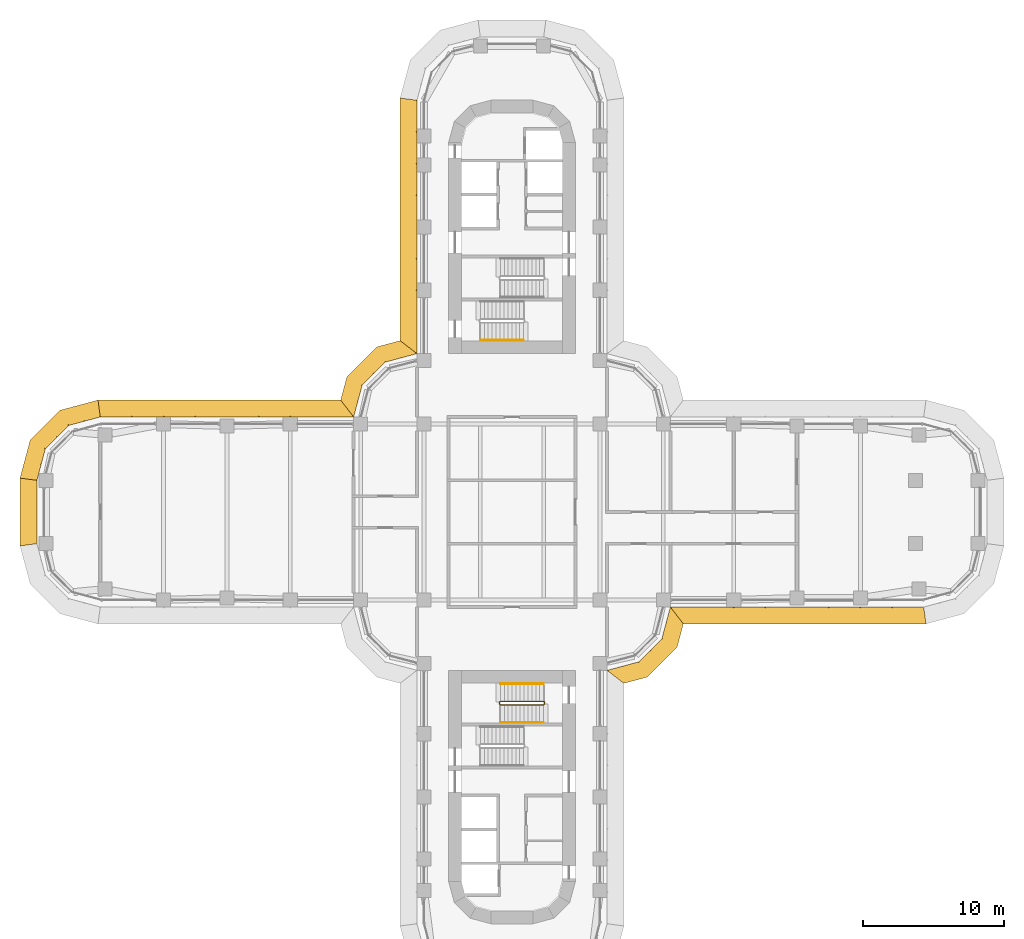
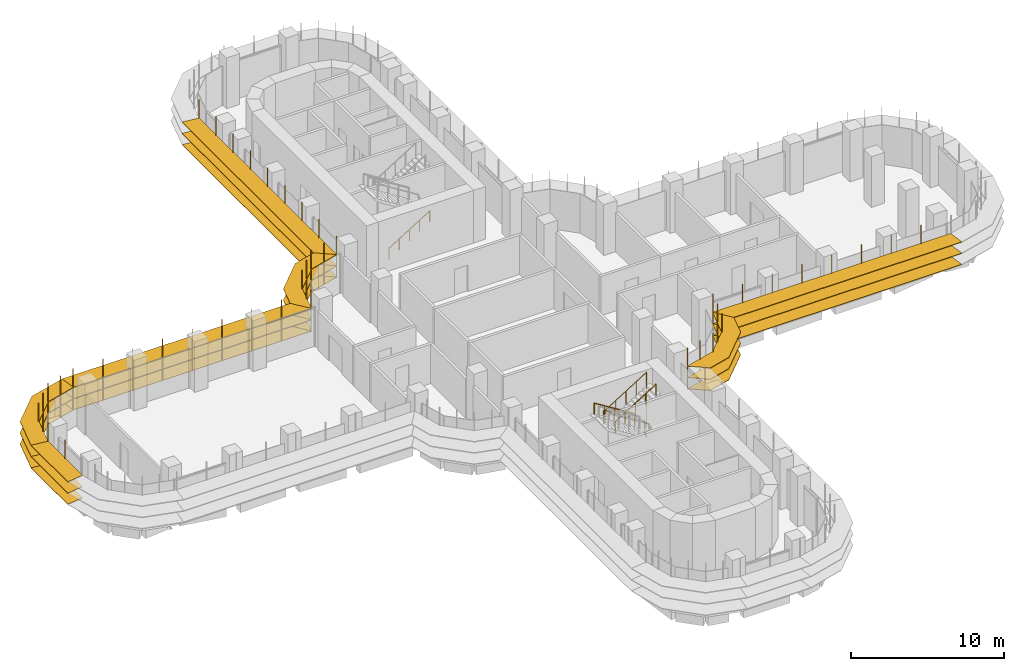
# One storey, part 21 of 23: 7 shading devices, 4 railings.
"""IFC4 building model written with IfcOpenShell, lengths in metres."""

from ifc_helpers import new_model, si_unit, direction, frame, origin, origin_2d, place, context, subcontext, project, spatial, polyline, circle, outline, extrude, faceted_brep, source, transform, mapped, material, type_object, element, save


model = new_model("IFC4")

# Units and contexts
model_context = context("Model", 3, precision=1e-05, world=origin(), true_north=direction((0.0, 1.0)))
body_context = subcontext(model_context, "Body", "Model", "MODEL_VIEW")
ifc_project = project(units=[si_unit("LENGTHUNIT", "METRE"), si_unit("AREAUNIT", "SQUARE_METRE"), si_unit("VOLUMEUNIT", "CUBIC_METRE"), si_unit("PLANEANGLEUNIT", "RADIAN"), si_unit("MASSUNIT", "GRAM", prefix="KILO")], contexts=[model_context])

# Site, building, storey
site_placement = place(None, origin())
site = spatial("IfcSite", under=ifc_project, at=site_placement, CompositionType="ELEMENT")
building_placement = place(site_placement, origin())
building = spatial("IfcBuilding", under=site, at=building_placement, Name="Zarbagh Exchange Tower", CompositionType="ELEMENT")
storey_placement = place(building_placement, frame((0.0, 0.0, 69.0)))
storey = spatial("IfcBuildingStorey", under=building, at=storey_placement, Name="L15", CompositionType="ELEMENT", Elevation=69.0)

# Railings
ifc_material_1 = material(Name="Stainless steel", Category="steel")
railing_type_1 = type_object("IfcRailingType", Name="Stair guard 1100 mm", PredefinedType="GUARDRAIL", material=ifc_material_1)
railing_1_placement = place(storey_placement, frame((-0.8798828125, -13.5, 2.10009765625)))
element("IfcRailing", 1, at=railing_1_placement, inside=storey, type_object=railing_type_1, Name="ST4 stair guard 1", PredefinedType="GUARDRAIL", context=body_context, shape_type="SweptSolid", body=[
    extrude(circle(Radius=0.02392578125, at=origin_2d()), frame((0.0, 0.0, 1.076171875), z_axis=(0.0, -1.0, 0.0), x_axis=(1.0, 0.0, 0.0)), (0.0, 0.0, 1.0), 0.14990234375),
    extrude(circle(Radius=0.02392578125, at=origin_2d()), frame((0.0, -0.14990234375, 1.076171875), z_axis=(0.264179342666, -0.265474339444, 0.927217692888), x_axis=(0.708833529934, 0.705375805398, 0.0)), (0.0, 0.0, 1.0), 0.1884765625),
    extrude(circle(Radius=0.02392578125, at=origin_2d()), frame((0.0498046875, -0.199951171875, 1.2509765625), z_axis=(0.847998304005, 0.0, 0.529998940003), x_axis=(0.0, 1.0, 0.0)), (0.0, 0.0, 1.0), 3.632080078125),
    extrude(circle(Radius=0.02392578125, at=origin_2d()), frame((3.1298828125, -0.199951171875, 3.17578125), z_axis=(0.011914834358, 0.011914834358, -0.999858026644), x_axis=(-0.707106781187, 0.707106781187, 0.0)), (0.0, 0.0, 1.0), 4.200439453125),
    extrude(circle(Radius=0.02392578125, at=origin_2d()), frame((3.179931640625, -0.14990234375, -1.02392578125), z_axis=(0.0, 1.0, 0.0), x_axis=(-1.0, 0.0, 0.0)), (0.0, 0.0, 1.0), 0.14990234375),
    extrude(circle(Radius=0.02392578125, at=origin_2d()), frame((3.179931640625, 0.0, -1.02392578125), z_axis=(-0.265065253269, 0.265065253269, 0.927081885822), x_axis=(-0.707106781187, -0.707106781187, 0.0)), (0.0, 0.0, 1.0), 0.188720703125),
    extrude(circle(Radius=0.02392578125, at=origin_2d()), frame((3.1298828125, 0.050048828125, -0.84912109375), z_axis=(-0.847998304005, 0.0, 0.529998940003), x_axis=(0.0, -1.0, 0.0)), (0.0, 0.0, 1.0), 3.632080078125),
    extrude(circle(Radius=0.02099609375, at=origin_2d()), origin(), (0.0, 0.0, 1.0), 1.052001953125),
    extrude(circle(Radius=0.02099609375, at=origin_2d()), frame((0.0, -0.14990234375, 0.0)), (0.0, 0.0, 1.0), 1.052001953125),
    extrude(circle(Radius=0.02099609375, at=origin_2d()), frame((0.0498046875, -0.199951171875, 0.1748046875)), (0.0, 0.0, 1.0), 1.052001953125),
    extrude(circle(Radius=0.02099609375, at=origin_2d()), frame((0.81982421875, -0.199951171875, 0.656005859375)), (0.0, 0.0, 1.0), 1.052001953125),
    extrude(circle(Radius=0.02099609375, at=origin_2d()), frame((1.58984375, -0.199951171875, 1.13720703125)), (0.0, 0.0, 1.0), 1.052001953125),
    extrude(circle(Radius=0.02099609375, at=origin_2d()), frame((2.35986328125, -0.199951171875, 1.61865234375)), (0.0, 0.0, 1.0), 1.052001953125),
    extrude(circle(Radius=0.02099609375, at=origin_2d()), frame((3.1298828125, -0.199951171875, 2.099853515625)), (0.0, 0.0, 1.0), 1.052001953125),
    extrude(circle(Radius=0.02099609375, at=origin_2d()), frame((3.142333984375, -0.1875, 1.0498046875)), (0.0, 0.0, 1.0), 1.052001953125),
    extrude(circle(Radius=0.02099609375, at=origin_2d()), frame((3.15478515625, -0.1748046875, 0.0)), (0.0, 0.0, 1.0), 1.052001953125),
    extrude(circle(Radius=0.02099609375, at=origin_2d()), frame((3.16748046875, -0.162353515625, -1.050048828125)), (0.0, 0.0, 1.0), 1.052001953125),
    extrude(circle(Radius=0.02099609375, at=origin_2d()), frame((3.179931640625, -0.14990234375, -2.10009765625)), (0.0, 0.0, 1.0), 1.052001953125),
    extrude(circle(Radius=0.02099609375, at=origin_2d()), frame((3.179931640625, 0.0, -2.10009765625)), (0.0, 0.0, 1.0), 1.052001953125),
    extrude(circle(Radius=0.02099609375, at=origin_2d()), frame((3.1298828125, 0.050048828125, -1.925048828125)), (0.0, 0.0, 1.0), 1.052001953125),
    extrude(circle(Radius=0.02099609375, at=origin_2d()), frame((2.35986328125, 0.050048828125, -1.44384765625)), (0.0, 0.0, 1.0), 1.052001953125),
    extrude(circle(Radius=0.02099609375, at=origin_2d()), frame((1.58984375, 0.050048828125, -0.96240234375)), (0.0, 0.0, 1.0), 1.052001953125),
    extrude(circle(Radius=0.02099609375, at=origin_2d()), frame((0.81982421875, 0.050048828125, -0.481201171875)), (0.0, 0.0, 1.0), 1.052001953125),
    extrude(circle(Radius=0.02099609375, at=origin_2d()), frame((0.0498046875, 0.050048828125, 0.0)), (0.0, 0.0, 1.0), 1.052001953125),
])
railing_type_2 = type_object("IfcRailingType", Name="Stair handrail 900 mm", PredefinedType="HANDRAIL", material=ifc_material_1)
railing_2_placement = place(storey_placement, frame((-2.25, 12.199951171875, 0.175048828125)))
element("IfcRailing", 2, at=railing_2_placement, inside=storey, type_object=railing_type_2, Name="ST2 stair handrail 1", PredefinedType="HANDRAIL", context=body_context, shape_type="SweptSolid", body=[
    extrude(circle(Radius=0.02392578125, at=origin_2d()), frame((0.0, 0.0, 0.8759765625), z_axis=(0.847998304005, 0.0, 0.529998940003), x_axis=(0.0, 1.0, 0.0)), (0.0, 0.0, 1.0), 3.632080078125),
    extrude(circle(Radius=0.02099609375, at=origin_2d()), origin(), (0.0, 0.0, 1.0), 0.851806640625),
    extrude(circle(Radius=0.02099609375, at=origin_2d()), frame((0.77001953125, 0.0, 0.481201171875)), (0.0, 0.0, 1.0), 0.851806640625),
    extrude(circle(Radius=0.02099609375, at=origin_2d()), frame((1.5400390625, 0.0, 0.96240234375)), (0.0, 0.0, 1.0), 0.851806640625),
    extrude(circle(Radius=0.02099609375, at=origin_2d()), frame((2.31005859375, 0.0, 1.44384765625)), (0.0, 0.0, 1.0), 0.851806640625),
    extrude(circle(Radius=0.02099609375, at=origin_2d()), frame((3.080078125, 0.0, 1.925048828125)), (0.0, 0.0, 1.0), 0.851806640625),
])
railing_3_placement = place(storey_placement, frame((2.25, -12.199951171875, 0.175048828125)))
element("IfcRailing", 3, at=railing_3_placement, inside=storey, type_object=railing_type_2, Name="ST4 stair handrail 1", PredefinedType="HANDRAIL", context=body_context, shape_type="SweptSolid", body=[
    extrude(circle(Radius=0.02392578125, at=origin_2d()), frame((0.0, 0.0, 0.8759765625), z_axis=(-0.847998304005, 0.0, 0.529998940003), x_axis=(0.0, -1.0, 0.0)), (0.0, 0.0, 1.0), 3.632080078125),
    extrude(circle(Radius=0.02099609375, at=origin_2d()), origin(), (0.0, 0.0, 1.0), 0.851806640625),
    extrude(circle(Radius=0.02099609375, at=origin_2d()), frame((-0.77001953125, 0.0, 0.481201171875)), (0.0, 0.0, 1.0), 0.851806640625),
    extrude(circle(Radius=0.02099609375, at=origin_2d()), frame((-1.5400390625, 0.0, 0.96240234375)), (0.0, 0.0, 1.0), 0.851806640625),
    extrude(circle(Radius=0.02099609375, at=origin_2d()), frame((-2.31005859375, 0.0, 1.44384765625)), (0.0, 0.0, 1.0), 0.851806640625),
    extrude(circle(Radius=0.02099609375, at=origin_2d()), frame((-3.080078125, 0.0, 1.925048828125)), (0.0, 0.0, 1.0), 0.851806640625),
])
railing_4_placement = place(storey_placement, frame((-0.830078125, -14.949951171875, 2.27490234375)))
element("IfcRailing", 4, at=railing_4_placement, inside=storey, type_object=railing_type_2, Name="ST4 stair handrail 2", PredefinedType="HANDRAIL", context=body_context, shape_type="SweptSolid", body=[
    extrude(circle(Radius=0.02392578125, at=origin_2d()), frame((0.0, 0.0, 0.8759765625), z_axis=(0.847998304005, 0.0, 0.529998940003), x_axis=(0.0, 1.0, 0.0)), (0.0, 0.0, 1.0), 3.632080078125),
    extrude(circle(Radius=0.02099609375, at=origin_2d()), origin(), (0.0, 0.0, 1.0), 0.851806640625),
    extrude(circle(Radius=0.02099609375, at=origin_2d()), frame((0.77001953125, 0.0, 0.481201171875)), (0.0, 0.0, 1.0), 0.851806640625),
    extrude(circle(Radius=0.02099609375, at=origin_2d()), frame((1.5400390625, 0.0, 0.96240234375)), (0.0, 0.0, 1.0), 0.851806640625),
    extrude(circle(Radius=0.02099609375, at=origin_2d()), frame((2.31005859375, 0.0, 1.44384765625)), (0.0, 0.0, 1.0), 0.851806640625),
    extrude(circle(Radius=0.02099609375, at=origin_2d()), frame((3.080078125, 0.0, 1.925048828125)), (0.0, 0.0, 1.0), 0.851806640625),
])

# Shading devices
ifc_material_2 = material(Name="Anodised aluminium blades and brackets", Category="aluminium")
shading_device_type = type_object("IfcShadingDeviceType", Name="SUNSHADE louvre band, 0 degree blades", PredefinedType="JALOUSIE", material=ifc_material_2)
shared_shape_1 = source(origin(), body_context, "Body", "Brep", [
    faceted_brep([(0.0, 0.0, 0.0), (0.0, 0.0, -0.0400390625), (-0.157958984375, -1.199951171875, -0.0400390625), (-0.157958984375, -1.199951171875, 0.0), (2.65087890625, -1.199951171875, 0.0), (2.65087890625, -1.199951171875, -0.0400390625), (2.329345703125, 0.0, -0.0400390625), (2.329345703125, 0.0, 0.0)], [[[0, 1, 2, 3]], [[4, 5, 6, 7]], [[0, 7, 6, 1]], [[1, 6, 5, 2]], [[2, 5, 4, 3]], [[3, 4, 7, 0]]]),
])
shared_shape_2 = source(origin(), body_context, "Body", "Brep", [
    faceted_brep([(0.0, 0.0, 0.0), (0.0, 0.0, -0.0400390625), (-0.321533203125, -1.199951171875, -0.0400390625), (-0.321533203125, -1.199951171875, 0.0), (2.65087890625, -1.199951171875, 0.0), (2.65087890625, -1.199951171875, -0.0400390625), (2.329345703125, 0.0, -0.0400390625), (2.329345703125, 0.0, 0.0)], [[[0, 1, 2, 3]], [[4, 5, 6, 7]], [[0, 7, 6, 1]], [[1, 6, 5, 2]], [[2, 5, 4, 3]], [[3, 4, 7, 0]]]),
])
shared_shape_3 = source(origin(), body_context, "Body", "Brep", [
    faceted_brep([(0.0, 0.0, 0.0), (0.0, 0.0, -0.0400390625), (-0.321533203125, -1.199951171875, -0.0400390625), (-0.321533203125, -1.199951171875, 0.0), (2.4873046875, -1.199951171875, 0.0), (2.4873046875, -1.199951171875, -0.0400390625), (2.329345703125, 0.0, -0.0400390625), (2.329345703125, 0.0, 0.0)], [[[0, 1, 2, 3]], [[4, 5, 6, 7]], [[0, 7, 6, 1]], [[1, 6, 5, 2]], [[2, 5, 4, 3]], [[3, 4, 7, 0]]]),
])
shared_shape_4 = source(origin(), body_context, "Body", "SweptSolid", [
    extrude(outline(polyline([(0.0, -0.012451171875), (0.06005859375, -0.012451171875), (0.06005859375, 0.012451171875), (0.0, 0.012451171875), (0.0, -0.012451171875)])), origin(), (0.0, 0.0, 1.0), 3.35009765625),
])
placement = place(storey_placement, origin())
element("IfcShadingDevice", 5, at=placement, inside=storey, type_object=shading_device_type, Name="SS17 sunshade band", PredefinedType="JALOUSIE", context=body_context, shape_type="MappedRepresentation", body=[
    mapped(shared_shape_1, transform((-29.25, 6.75, 2.699951171875), x_axis=(-0.965924289636, -0.258824779902, 0.0), y_axis=(0.258824779902, -0.965924289636, 0.0), z_axis=(0.0, 0.0, 1.0))),
    mapped(shared_shape_1, transform((-29.25, 6.75, 1.800048828125), x_axis=(-0.965924289636, -0.258824779902, 0.0), y_axis=(0.258824779902, -0.965924289636, 0.0), z_axis=(0.0, 0.0, 1.0))),
    mapped(shared_shape_1, transform((-29.25, 6.75, 0.89990234375), x_axis=(-0.965924289636, -0.258824779902, 0.0), y_axis=(0.258824779902, -0.965924289636, 0.0), z_axis=(0.0, 0.0, 1.0))),
    mapped(shared_shape_2, transform((-31.5, 6.147216796875, 2.699951171875), x_axis=(-0.707106781187, -0.707106781187, 0.0), y_axis=(0.707106781187, -0.707106781187, 0.0), z_axis=(0.0, 0.0, 1.0))),
    mapped(shared_shape_2, transform((-31.5, 6.147216796875, 1.800048828125), x_axis=(-0.707106781187, -0.707106781187, 0.0), y_axis=(0.707106781187, -0.707106781187, 0.0), z_axis=(0.0, 0.0, 1.0))),
    mapped(shared_shape_2, transform((-31.5, 6.147216796875, 0.89990234375), x_axis=(-0.707106781187, -0.707106781187, 0.0), y_axis=(0.707106781187, -0.707106781187, 0.0), z_axis=(0.0, 0.0, 1.0))),
    mapped(shared_shape_3, transform((-33.147216796875, 4.5, 2.699951171875), x_axis=(-0.258824779902, -0.965924289636, 0.0), y_axis=(0.965924289636, -0.258824779902, 0.0), z_axis=(0.0, 0.0, 1.0))),
    mapped(shared_shape_3, transform((-33.147216796875, 4.5, 1.800048828125), x_axis=(-0.258824779902, -0.965924289636, 0.0), y_axis=(0.965924289636, -0.258824779902, 0.0), z_axis=(0.0, 0.0, 1.0))),
    mapped(shared_shape_3, transform((-33.147216796875, 4.5, 0.89990234375), x_axis=(-0.258824779902, -0.965924289636, 0.0), y_axis=(0.965924289636, -0.258824779902, 0.0), z_axis=(0.0, 0.0, 1.0))),
    mapped(shared_shape_4, transform((-29.25, 6.75, 0.830078125), x_axis=(-0.130529263012, 0.991444457092, 0.0), y_axis=(-0.991444457092, -0.130529263012, 0.0), z_axis=(0.0, 0.0, 1.0))),
    mapped(shared_shape_4, transform((-30.375, 6.448486328125, 0.830078125), x_axis=(-0.258825058029, 0.96592421511, 0.0), y_axis=(-0.96592421511, -0.258825058029, 0.0), z_axis=(0.0, 0.0, 1.0))),
    mapped(shared_shape_4, transform((-31.5, 6.147216796875, 0.830078125), x_axis=(-0.50000275701, 0.866023812018, 0.0), y_axis=(-0.866023812018, -0.50000275701, 0.0), z_axis=(0.0, 0.0, 1.0))),
    mapped(shared_shape_4, transform((-32.323486328125, 5.323486328125, 0.830078125), x_axis=(-0.707106781187, 0.707106781187, 0.0), y_axis=(-0.707106781187, -0.707106781187, 0.0), z_axis=(0.0, 0.0, 1.0))),
    mapped(shared_shape_4, transform((-33.147216796875, 4.5, 0.830078125), x_axis=(-0.866023812018, 0.50000275701, 0.0), y_axis=(-0.50000275701, -0.866023812018, 0.0), z_axis=(0.0, 0.0, 1.0))),
    mapped(shared_shape_4, transform((-33.448486328125, 3.375, 0.830078125), x_axis=(-0.96592421511, 0.258825058029, 0.0), y_axis=(-0.258825058029, -0.96592421511, 0.0), z_axis=(0.0, 0.0, 1.0))),
])
shared_shape_5 = source(origin(), body_context, "Body", "Brep", [
    faceted_brep([(0.0, 0.0, 0.0), (0.0, 0.0, -0.0400390625), (0.9208984375, -1.199951171875, -0.0400390625), (0.9208984375, -1.199951171875, 0.0), (2.65087890625, -1.199951171875, 0.0), (2.65087890625, -1.199951171875, -0.0400390625), (2.329345703125, 0.0, -0.0400390625), (2.329345703125, 0.0, 0.0)], [[[0, 1, 2, 3]], [[4, 5, 6, 7]], [[0, 7, 6, 1]], [[1, 6, 5, 2]], [[2, 5, 4, 3]], [[3, 4, 7, 0]]]),
])
shared_shape_6 = source(origin(), body_context, "Body", "Brep", [
    faceted_brep([(0.0, 0.0, 0.0), (0.0, 0.0, -0.0400390625), (-0.321533203125, -1.199951171875, -0.0400390625), (-0.321533203125, -1.199951171875, 0.0), (1.40869140625, -1.199951171875, 0.0), (1.40869140625, -1.199951171875, -0.0400390625), (2.329345703125, 0.0, -0.0400390625), (2.329345703125, 0.0, 0.0)], [[[0, 1, 2, 3]], [[4, 5, 6, 7]], [[0, 7, 6, 1]], [[1, 6, 5, 2]], [[2, 5, 4, 3]], [[3, 4, 7, 0]]]),
])
element("IfcShadingDevice", 6, at=placement, inside=storey, type_object=shading_device_type, Name="SS03 sunshade band", PredefinedType="JALOUSIE", context=body_context, shape_type="MappedRepresentation", body=[
    mapped(shared_shape_5, transform((6.75, -11.25, 2.699951171875), x_axis=(0.965924289636, 0.258824779902, 0.0), y_axis=(-0.258824779902, 0.965924289636, 0.0), z_axis=(0.0, 0.0, 1.0))),
    mapped(shared_shape_5, transform((6.75, -11.25, 1.800048828125), x_axis=(0.965924289636, 0.258824779902, 0.0), y_axis=(-0.258824779902, 0.965924289636, 0.0), z_axis=(0.0, 0.0, 1.0))),
    mapped(shared_shape_5, transform((6.75, -11.25, 0.89990234375), x_axis=(0.965924289636, 0.258824779902, 0.0), y_axis=(-0.258824779902, 0.965924289636, 0.0), z_axis=(0.0, 0.0, 1.0))),
    mapped(shared_shape_2, transform((9.0, -10.647216796875, 2.699951171875), x_axis=(0.707106781187, 0.707106781187, 0.0), y_axis=(-0.707106781187, 0.707106781187, 0.0), z_axis=(0.0, 0.0, 1.0))),
    mapped(shared_shape_2, transform((9.0, -10.647216796875, 1.800048828125), x_axis=(0.707106781187, 0.707106781187, 0.0), y_axis=(-0.707106781187, 0.707106781187, 0.0), z_axis=(0.0, 0.0, 1.0))),
    mapped(shared_shape_2, transform((9.0, -10.647216796875, 0.89990234375), x_axis=(0.707106781187, 0.707106781187, 0.0), y_axis=(-0.707106781187, 0.707106781187, 0.0), z_axis=(0.0, 0.0, 1.0))),
    mapped(shared_shape_6, transform((10.647216796875, -9.0, 2.699951171875), x_axis=(0.258824779902, 0.965924289636, 0.0), y_axis=(-0.965924289636, 0.258824779902, 0.0), z_axis=(0.0, 0.0, 1.0))),
    mapped(shared_shape_6, transform((10.647216796875, -9.0, 1.800048828125), x_axis=(0.258824779902, 0.965924289636, 0.0), y_axis=(-0.965924289636, 0.258824779902, 0.0), z_axis=(0.0, 0.0, 1.0))),
    mapped(shared_shape_6, transform((10.647216796875, -9.0, 0.89990234375), x_axis=(0.258824779902, 0.965924289636, 0.0), y_axis=(-0.965924289636, 0.258824779902, 0.0), z_axis=(0.0, 0.0, 1.0))),
    mapped(shared_shape_4, transform((6.75, -11.25, 0.830078125), x_axis=(0.793355287, -0.608758892, 0.0), y_axis=(0.608758892, 0.793355287, 0.0), z_axis=(0.0, 0.0, 1.0))),
    mapped(shared_shape_4, transform((7.875, -10.948486328125, 0.830078125), x_axis=(0.258825058029, -0.96592421511, 0.0), y_axis=(0.96592421511, 0.258825058029, 0.0), z_axis=(0.0, 0.0, 1.0))),
    mapped(shared_shape_4, transform((9.0, -10.647216796875, 0.830078125), x_axis=(0.50000275701, -0.866023812018, 0.0), y_axis=(0.866023812018, 0.50000275701, 0.0), z_axis=(0.0, 0.0, 1.0))),
    mapped(shared_shape_4, transform((9.823486328125, -9.823486328125, 0.830078125), x_axis=(0.707106781187, -0.707106781187, 0.0), y_axis=(0.707106781187, 0.707106781187, 0.0), z_axis=(0.0, 0.0, 1.0))),
    mapped(shared_shape_4, transform((10.647216796875, -9.0, 0.830078125), x_axis=(0.866023812018, -0.50000275701, 0.0), y_axis=(0.50000275701, 0.866023812018, 0.0), z_axis=(0.0, 0.0, 1.0))),
    mapped(shared_shape_4, transform((10.948486328125, -7.875, 0.830078125), x_axis=(0.96592421511, -0.258825058029, 0.0), y_axis=(0.258825058029, 0.96592421511, 0.0), z_axis=(0.0, 0.0, 1.0))),
])
element("IfcShadingDevice", 7, at=placement, inside=storey, type_object=shading_device_type, Name="SS15 sunshade band", PredefinedType="JALOUSIE", context=body_context, shape_type="MappedRepresentation", body=[
    mapped(shared_shape_5, transform((-6.75, 11.25, 2.699951171875), x_axis=(-0.965924289636, -0.258824779902, 0.0), y_axis=(0.258824779902, -0.965924289636, 0.0), z_axis=(0.0, 0.0, 1.0))),
    mapped(shared_shape_5, transform((-6.75, 11.25, 1.800048828125), x_axis=(-0.965924289636, -0.258824779902, 0.0), y_axis=(0.258824779902, -0.965924289636, 0.0), z_axis=(0.0, 0.0, 1.0))),
    mapped(shared_shape_5, transform((-6.75, 11.25, 0.89990234375), x_axis=(-0.965924289636, -0.258824779902, 0.0), y_axis=(0.258824779902, -0.965924289636, 0.0), z_axis=(0.0, 0.0, 1.0))),
    mapped(shared_shape_2, transform((-9.0, 10.647216796875, 2.699951171875), x_axis=(-0.707106781187, -0.707106781187, 0.0), y_axis=(0.707106781187, -0.707106781187, 0.0), z_axis=(0.0, 0.0, 1.0))),
    mapped(shared_shape_2, transform((-9.0, 10.647216796875, 1.800048828125), x_axis=(-0.707106781187, -0.707106781187, 0.0), y_axis=(0.707106781187, -0.707106781187, 0.0), z_axis=(0.0, 0.0, 1.0))),
    mapped(shared_shape_2, transform((-9.0, 10.647216796875, 0.89990234375), x_axis=(-0.707106781187, -0.707106781187, 0.0), y_axis=(0.707106781187, -0.707106781187, 0.0), z_axis=(0.0, 0.0, 1.0))),
    mapped(shared_shape_6, transform((-10.647216796875, 9.0, 2.699951171875), x_axis=(-0.258824779902, -0.965924289636, 0.0), y_axis=(0.965924289636, -0.258824779902, 0.0), z_axis=(0.0, 0.0, 1.0))),
    mapped(shared_shape_6, transform((-10.647216796875, 9.0, 1.800048828125), x_axis=(-0.258824779902, -0.965924289636, 0.0), y_axis=(0.965924289636, -0.258824779902, 0.0), z_axis=(0.0, 0.0, 1.0))),
    mapped(shared_shape_6, transform((-10.647216796875, 9.0, 0.89990234375), x_axis=(-0.258824779902, -0.965924289636, 0.0), y_axis=(0.965924289636, -0.258824779902, 0.0), z_axis=(0.0, 0.0, 1.0))),
    mapped(shared_shape_4, transform((-6.75, 11.25, 0.830078125), x_axis=(-0.793355287, 0.608758892, 0.0), y_axis=(-0.608758892, -0.793355287, 0.0), z_axis=(0.0, 0.0, 1.0))),
    mapped(shared_shape_4, transform((-7.875, 10.948486328125, 0.830078125), x_axis=(-0.258825058029, 0.96592421511, 0.0), y_axis=(-0.96592421511, -0.258825058029, 0.0), z_axis=(0.0, 0.0, 1.0))),
    mapped(shared_shape_4, transform((-9.0, 10.647216796875, 0.830078125), x_axis=(-0.50000275701, 0.866023812018, 0.0), y_axis=(-0.866023812018, -0.50000275701, 0.0), z_axis=(0.0, 0.0, 1.0))),
    mapped(shared_shape_4, transform((-9.823486328125, 9.823486328125, 0.830078125), x_axis=(-0.707106781187, 0.707106781187, 0.0), y_axis=(-0.707106781187, -0.707106781187, 0.0), z_axis=(0.0, 0.0, 1.0))),
    mapped(shared_shape_4, transform((-10.647216796875, 9.0, 0.830078125), x_axis=(-0.866023812018, 0.50000275701, 0.0), y_axis=(-0.50000275701, -0.866023812018, 0.0), z_axis=(0.0, 0.0, 1.0))),
    mapped(shared_shape_4, transform((-10.948486328125, 7.875, 0.830078125), x_axis=(-0.96592421511, 0.258825058029, 0.0), y_axis=(-0.258825058029, -0.96592421511, 0.0), z_axis=(0.0, 0.0, 1.0))),
])
shared_shape_7 = source(origin(), body_context, "Body", "Brep", [
    faceted_brep([(0.0, 0.0, 0.0), (0.0, 0.0, -0.0400390625), (0.9208984375, -1.199951171875, -0.0400390625), (0.9208984375, -1.199951171875, 0.0), (18.157958984375, -1.199951171875, 0.0), (18.157958984375, -1.199951171875, -0.0400390625), (18.0, 0.0, -0.0400390625), (18.0, 0.0, 0.0)], [[[0, 1, 2, 3]], [[4, 5, 6, 7]], [[0, 7, 6, 1]], [[1, 6, 5, 2]], [[2, 5, 4, 3]], [[3, 4, 7, 0]]]),
])
element("IfcShadingDevice", 8, at=placement, inside=storey, type_object=shading_device_type, Name="SS04 sunshade band", PredefinedType="JALOUSIE", context=body_context, shape_type="MappedRepresentation", body=[
    mapped(shared_shape_7, transform((11.25, -6.75, 2.699951171875), x_axis=(1.0, 0.0, 0.0), y_axis=(0.0, 1.0, 0.0), z_axis=(0.0, 0.0, 1.0))),
    mapped(shared_shape_7, transform((11.25, -6.75, 1.800048828125), x_axis=(1.0, 0.0, 0.0), y_axis=(0.0, 1.0, 0.0), z_axis=(0.0, 0.0, 1.0))),
    mapped(shared_shape_7, transform((11.25, -6.75, 0.89990234375), x_axis=(1.0, 0.0, 0.0), y_axis=(0.0, 1.0, 0.0), z_axis=(0.0, 0.0, 1.0))),
    mapped(shared_shape_4, transform((11.25, -6.75, 0.830078125), x_axis=(0.608758892, -0.793355287, 0.0), y_axis=(0.793355287, 0.608758892, 0.0), z_axis=(0.0, 0.0, 1.0))),
    mapped(shared_shape_4, transform((13.5, -6.75, 0.830078125), x_axis=(0.0, -1.0, 0.0), y_axis=(1.0, 0.0, 0.0), z_axis=(0.0, 0.0, 1.0))),
    mapped(shared_shape_4, transform((15.75, -6.75, 0.830078125), x_axis=(0.0, -1.0, 0.0), y_axis=(1.0, 0.0, 0.0), z_axis=(0.0, 0.0, 1.0))),
    mapped(shared_shape_4, transform((18.0, -6.75, 0.830078125), x_axis=(0.0, -1.0, 0.0), y_axis=(1.0, 0.0, 0.0), z_axis=(0.0, 0.0, 1.0))),
    mapped(shared_shape_4, transform((20.25, -6.75, 0.830078125), x_axis=(0.0, -1.0, 0.0), y_axis=(1.0, 0.0, 0.0), z_axis=(0.0, 0.0, 1.0))),
    mapped(shared_shape_4, transform((22.5, -6.75, 0.830078125), x_axis=(0.0, -1.0, 0.0), y_axis=(1.0, 0.0, 0.0), z_axis=(0.0, 0.0, 1.0))),
    mapped(shared_shape_4, transform((24.75, -6.75, 0.830078125), x_axis=(0.0, -1.0, 0.0), y_axis=(1.0, 0.0, 0.0), z_axis=(0.0, 0.0, 1.0))),
    mapped(shared_shape_4, transform((27.0, -6.75, 0.830078125), x_axis=(0.0, -1.0, 0.0), y_axis=(1.0, 0.0, 0.0), z_axis=(0.0, 0.0, 1.0))),
])
shared_shape_8 = source(origin(), body_context, "Body", "Brep", [
    faceted_brep([(0.0, 0.0, 0.0), (0.0, 0.0, -0.0400390625), (-0.157958984375, -1.199951171875, -0.0400390625), (-0.157958984375, -1.199951171875, 0.0), (17.0791015625, -1.199951171875, 0.0), (17.0791015625, -1.199951171875, -0.0400390625), (18.0, 0.0, -0.0400390625), (18.0, 0.0, 0.0)], [[[0, 1, 2, 3]], [[4, 5, 6, 7]], [[0, 7, 6, 1]], [[1, 6, 5, 2]], [[2, 5, 4, 3]], [[3, 4, 7, 0]]]),
])
element("IfcShadingDevice", 9, at=placement, inside=storey, type_object=shading_device_type, Name="SS14 sunshade band", PredefinedType="JALOUSIE", context=body_context, shape_type="MappedRepresentation", body=[
    mapped(shared_shape_8, transform((-6.75, 29.25, 2.699951171875), x_axis=(0.0, -1.0, 0.0), y_axis=(1.0, 0.0, 0.0), z_axis=(0.0, 0.0, 1.0))),
    mapped(shared_shape_8, transform((-6.75, 29.25, 1.800048828125), x_axis=(0.0, -1.0, 0.0), y_axis=(1.0, 0.0, 0.0), z_axis=(0.0, 0.0, 1.0))),
    mapped(shared_shape_8, transform((-6.75, 29.25, 0.89990234375), x_axis=(0.0, -1.0, 0.0), y_axis=(1.0, 0.0, 0.0), z_axis=(0.0, 0.0, 1.0))),
    mapped(shared_shape_4, transform((-6.75, 29.25, 0.830078125), x_axis=(-0.991444457092, 0.130529263012, 0.0), y_axis=(-0.130529263012, -0.991444457092, 0.0), z_axis=(0.0, 0.0, 1.0))),
    mapped(shared_shape_4, transform((-6.75, 27.0, 0.830078125), x_axis=(-1.0, 0.0, 0.0), y_axis=(0.0, -1.0, 0.0), z_axis=(0.0, 0.0, 1.0))),
    mapped(shared_shape_4, transform((-6.75, 24.75, 0.830078125), x_axis=(-1.0, 0.0, 0.0), y_axis=(0.0, -1.0, 0.0), z_axis=(0.0, 0.0, 1.0))),
    mapped(shared_shape_4, transform((-6.75, 22.5, 0.830078125), x_axis=(-1.0, 0.0, 0.0), y_axis=(0.0, -1.0, 0.0), z_axis=(0.0, 0.0, 1.0))),
    mapped(shared_shape_4, transform((-6.75, 20.25, 0.830078125), x_axis=(-1.0, 0.0, 0.0), y_axis=(0.0, -1.0, 0.0), z_axis=(0.0, 0.0, 1.0))),
    mapped(shared_shape_4, transform((-6.75, 18.0, 0.830078125), x_axis=(-1.0, 0.0, 0.0), y_axis=(0.0, -1.0, 0.0), z_axis=(0.0, 0.0, 1.0))),
    mapped(shared_shape_4, transform((-6.75, 15.75, 0.830078125), x_axis=(-1.0, 0.0, 0.0), y_axis=(0.0, -1.0, 0.0), z_axis=(0.0, 0.0, 1.0))),
    mapped(shared_shape_4, transform((-6.75, 13.5, 0.830078125), x_axis=(-1.0, 0.0, 0.0), y_axis=(0.0, -1.0, 0.0), z_axis=(0.0, 0.0, 1.0))),
])
element("IfcShadingDevice", 10, at=placement, inside=storey, type_object=shading_device_type, Name="SS16 sunshade band", PredefinedType="JALOUSIE", context=body_context, shape_type="MappedRepresentation", body=[
    mapped(shared_shape_7, transform((-11.25, 6.75, 2.699951171875), x_axis=(-1.0, 0.0, 0.0), y_axis=(0.0, -1.0, 0.0), z_axis=(0.0, 0.0, 1.0))),
    mapped(shared_shape_7, transform((-11.25, 6.75, 1.800048828125), x_axis=(-1.0, 0.0, 0.0), y_axis=(0.0, -1.0, 0.0), z_axis=(0.0, 0.0, 1.0))),
    mapped(shared_shape_7, transform((-11.25, 6.75, 0.89990234375), x_axis=(-1.0, 0.0, 0.0), y_axis=(0.0, -1.0, 0.0), z_axis=(0.0, 0.0, 1.0))),
    mapped(shared_shape_4, transform((-11.25, 6.75, 0.830078125), x_axis=(-0.608758892, 0.793355287, 0.0), y_axis=(-0.793355287, -0.608758892, 0.0), z_axis=(0.0, 0.0, 1.0))),
    mapped(shared_shape_4, transform((-13.5, 6.75, 0.830078125), x_axis=(0.0, 1.0, 0.0), y_axis=(-1.0, 0.0, 0.0), z_axis=(0.0, 0.0, 1.0))),
    mapped(shared_shape_4, transform((-15.75, 6.75, 0.830078125), x_axis=(0.0, 1.0, 0.0), y_axis=(-1.0, 0.0, 0.0), z_axis=(0.0, 0.0, 1.0))),
    mapped(shared_shape_4, transform((-18.0, 6.75, 0.830078125), x_axis=(0.0, 1.0, 0.0), y_axis=(-1.0, 0.0, 0.0), z_axis=(0.0, 0.0, 1.0))),
    mapped(shared_shape_4, transform((-20.25, 6.75, 0.830078125), x_axis=(0.0, 1.0, 0.0), y_axis=(-1.0, 0.0, 0.0), z_axis=(0.0, 0.0, 1.0))),
    mapped(shared_shape_4, transform((-22.5, 6.75, 0.830078125), x_axis=(0.0, 1.0, 0.0), y_axis=(-1.0, 0.0, 0.0), z_axis=(0.0, 0.0, 1.0))),
    mapped(shared_shape_4, transform((-24.75, 6.75, 0.830078125), x_axis=(0.0, 1.0, 0.0), y_axis=(-1.0, 0.0, 0.0), z_axis=(0.0, 0.0, 1.0))),
    mapped(shared_shape_4, transform((-27.0, 6.75, 0.830078125), x_axis=(0.0, 1.0, 0.0), y_axis=(-1.0, 0.0, 0.0), z_axis=(0.0, 0.0, 1.0))),
])
shared_shape_9 = source(origin(), body_context, "Body", "Brep", [
    faceted_brep([(0.0, 0.0, 0.0), (0.0, 0.0, -0.0400390625), (-0.157958984375, -1.199951171875, -0.0400390625), (-0.157958984375, -1.199951171875, 0.0), (4.657958984375, -1.199951171875, 0.0), (4.657958984375, -1.199951171875, -0.0400390625), (4.5, 0.0, -0.0400390625), (4.5, 0.0, 0.0)], [[[0, 1, 2, 3]], [[4, 5, 6, 7]], [[0, 7, 6, 1]], [[1, 6, 5, 2]], [[2, 5, 4, 3]], [[3, 4, 7, 0]]]),
])
element("IfcShadingDevice", 11, at=placement, inside=storey, type_object=shading_device_type, Name="SS18 sunshade band", PredefinedType="JALOUSIE", context=body_context, shape_type="MappedRepresentation", body=[
    mapped(shared_shape_9, transform((-33.75, 2.25, 2.699951171875), x_axis=(0.0, -1.0, 0.0), y_axis=(1.0, 0.0, 0.0), z_axis=(0.0, 0.0, 1.0))),
    mapped(shared_shape_9, transform((-33.75, 2.25, 1.800048828125), x_axis=(0.0, -1.0, 0.0), y_axis=(1.0, 0.0, 0.0), z_axis=(0.0, 0.0, 1.0))),
    mapped(shared_shape_9, transform((-33.75, 2.25, 0.89990234375), x_axis=(0.0, -1.0, 0.0), y_axis=(1.0, 0.0, 0.0), z_axis=(0.0, 0.0, 1.0))),
    mapped(shared_shape_4, transform((-33.75, 2.25, 0.830078125), x_axis=(-0.991444457092, 0.130529263012, 0.0), y_axis=(-0.130529263012, -0.991444457092, 0.0), z_axis=(0.0, 0.0, 1.0))),
    mapped(shared_shape_4, transform((-33.75, 0.0, 0.830078125), x_axis=(-1.0, 0.0, 0.0), y_axis=(0.0, -1.0, 0.0), z_axis=(0.0, 0.0, 1.0))),
])

save(model, "model.ifc")
